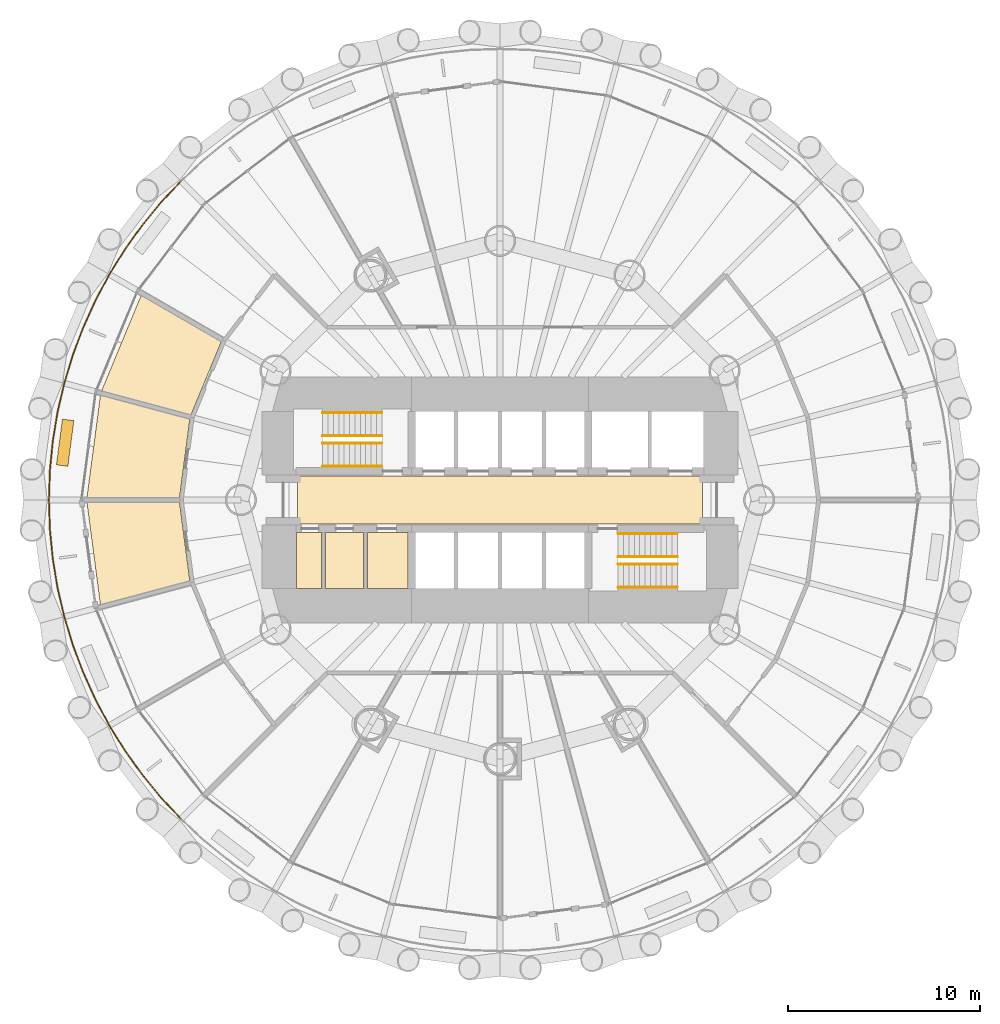
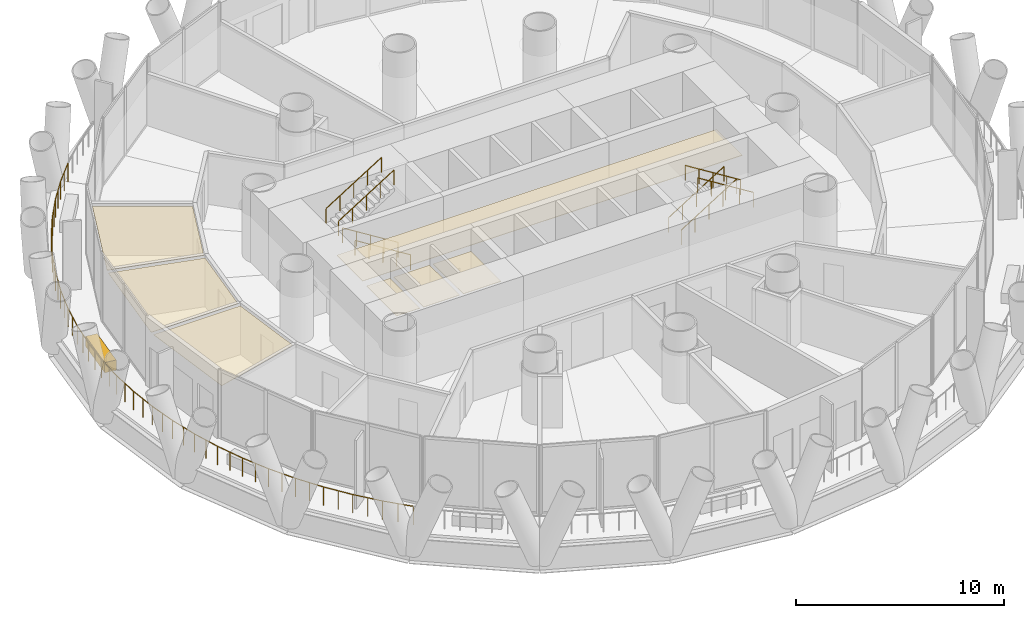
# One storey, part 14 of 16: 9 railings, 8 coverings.
"""IFC4 building model written with IfcOpenShell, lengths in metres."""

from ifc_helpers import new_model, si_unit, direction, frame, origin, origin_2d, place, context, subcontext, project, spatial, polyline, rectangle, circle, outline, extrude, material, layer, layer_set, type_object, element, save


model = new_model("IFC4")

# Units and contexts
model_context = context("Model", 3, precision=1e-05, world=origin(), true_north=direction((0.0, 1.0)))
body_context = subcontext(model_context, "Body", "Model", "MODEL_VIEW")
ifc_project = project(units=[si_unit("LENGTHUNIT", "METRE"), si_unit("AREAUNIT", "SQUARE_METRE"), si_unit("VOLUMEUNIT", "CUBIC_METRE"), si_unit("PLANEANGLEUNIT", "RADIAN"), si_unit("MASSUNIT", "GRAM", prefix="KILO")], contexts=[model_context])

# Site, building, storey
site_placement = place(None, origin())
site = spatial("IfcSite", under=ifc_project, at=site_placement, CompositionType="ELEMENT")
building_placement = place(site_placement, origin())
building = spatial("IfcBuilding", under=site, at=building_placement, Name="Qaws Media Tower", CompositionType="ELEMENT")
storey_placement = place(building_placement, frame((0.0, 0.0, 42.800048828125)))
storey = spatial("IfcBuildingStorey", under=building, at=storey_placement, Name="L08", CompositionType="ELEMENT", Elevation=42.800048828125)

# Railing
ifc_material_1 = material(Name="Stainless steel and glass guard", Category="steel")
railing_type_1 = type_object("IfcRailingType", Name="Balcony guard 1100", PredefinedType="GUARDRAIL", material=ifc_material_1)
railing_placement = place(storey_placement, frame((43.383056640625, 66.616943359375, 0.0)))
element("IfcRailing", 1, at=railing_placement, inside=storey, type_object=railing_type_1, Name="GR1 balcony guard L08-2", PredefinedType="GUARDRAIL", context=body_context, shape_type="SweptSolid", body=[
    extrude(circle(Radius=0.02392578125, at=origin_2d()), frame((0.0, 0.0, 1.076171875), z_axis=(-0.683629483557, -0.729829246613, 0.0), x_axis=(0.729829246613, -0.683629483557, 0.0)), (0.0, 0.0, 1.0), 1.537841796875),
    extrude(circle(Radius=0.02392578125, at=origin_2d()), frame((-1.05126953125, -1.122314453125, 1.076171875), z_axis=(-0.634404190621, -0.773001502536, 0.0), x_axis=(0.773001502536, -0.634404190621, 0.0)), (0.0, 0.0, 1.0), 1.537841796875),
    extrude(circle(Radius=0.02392578125, at=origin_2d()), frame((-2.02685546875, -2.31103515625, 1.076171875), z_axis=(-0.582483978532, -0.812842183178, 0.0), x_axis=(0.812842183178, -0.582483978532, 0.0)), (0.0, 0.0, 1.0), 1.537841796875),
    extrude(circle(Radius=0.02392578125, at=origin_2d()), frame((-2.922607421875, -3.56103515625, 1.076171875), z_axis=(-0.528042439698, -0.849217982545, 0.0), x_axis=(0.849217982545, -0.528042439698, 0.0)), (0.0, 0.0, 1.0), 1.537841796875),
    extrude(circle(Radius=0.02392578125, at=origin_2d()), frame((-3.734619140625, -4.866943359375, 1.076171875), z_axis=(-0.471370883899, -0.881935082539, 0.0), x_axis=(0.881935082539, -0.471370883899, 0.0)), (0.0, 0.0, 1.0), 1.537841796875),
    extrude(circle(Radius=0.02392578125, at=origin_2d()), frame((-4.45947265625, -6.22314453125, 1.076171875), z_axis=(-0.412785945288, -0.91082806466, 0.0), x_axis=(0.91082806466, -0.412785945288, 0.0)), (0.0, 0.0, 1.0), 1.537841796875),
    extrude(circle(Radius=0.02392578125, at=origin_2d()), frame((-5.09423828125, -7.623779296875, 1.076171875), z_axis=(-0.352236524079, -0.93591101666, 0.0), x_axis=(0.93591101666, -0.352236524079, 0.0)), (0.0, 0.0, 1.0), 1.5380859375),
    extrude(circle(Radius=0.02392578125, at=origin_2d()), frame((-5.635986328125, -9.063232421875, 1.076171875), z_axis=(-0.290245352327, -0.956952263936, 0.0), x_axis=(0.956952263936, -0.290245352327, 0.0)), (0.0, 0.0, 1.0), 1.53759765625),
    extrude(circle(Radius=0.02392578125, at=origin_2d()), frame((-6.082275390625, -10.53466796875, 1.076171875), z_axis=(-0.227038888344, -0.973885693077, 0.0), x_axis=(0.973885693077, -0.227038888344, 0.0)), (0.0, 0.0, 1.0), 1.53759765625),
    extrude(circle(Radius=0.02392578125, at=origin_2d()), frame((-6.431396484375, -12.0322265625, 1.076171875), z_axis=(-0.163034453184, -0.986620376373, 0.0), x_axis=(0.986620376373, -0.163034453184, 0.0)), (0.0, 0.0, 1.0), 1.537841796875),
    extrude(circle(Radius=0.02392578125, at=origin_2d()), frame((-6.68212890625, -13.549560546875, 1.076171875), z_axis=(-0.097947552028, -0.995191578065, 0.0), x_axis=(0.995191578065, -0.097947552028, 0.0)), (0.0, 0.0, 1.0), 1.537841796875),
    extrude(circle(Radius=0.02392578125, at=origin_2d()), frame((-6.832763671875, -15.080078125, 1.076171875), z_axis=(-0.032706876461, -0.999464986997, 0.0), x_axis=(0.999464986997, -0.032706876461, 0.0)), (0.0, 0.0, 1.0), 1.53759765625),
    extrude(circle(Radius=0.02392578125, at=origin_2d()), frame((-6.883056640625, -16.616943359375, 1.076171875), z_axis=(0.032706876461, -0.999464986997, 0.0), x_axis=(0.999464986997, 0.032706876461, 0.0)), (0.0, 0.0, 1.0), 1.53759765625),
    extrude(circle(Radius=0.02392578125, at=origin_2d()), frame((-6.832763671875, -18.15380859375, 1.076171875), z_axis=(0.097947552028, -0.995191578065, 0.0), x_axis=(0.995191578065, 0.097947552028, 0.0)), (0.0, 0.0, 1.0), 1.537841796875),
    extrude(circle(Radius=0.02392578125, at=origin_2d()), frame((-6.68212890625, -19.684326171875, 1.076171875), z_axis=(0.163034453184, -0.986620376373, 0.0), x_axis=(0.986620376373, 0.163034453184, 0.0)), (0.0, 0.0, 1.0), 1.537841796875),
    extrude(circle(Radius=0.02392578125, at=origin_2d()), frame((-6.431396484375, -21.20166015625, 1.076171875), z_axis=(0.227038888344, -0.973885693077, 0.0), x_axis=(0.973885693077, 0.227038888344, 0.0)), (0.0, 0.0, 1.0), 1.53759765625),
    extrude(circle(Radius=0.02392578125, at=origin_2d()), frame((-6.082275390625, -22.69921875, 1.076171875), z_axis=(0.290245352327, -0.956952263936, 0.0), x_axis=(0.956952263936, 0.290245352327, 0.0)), (0.0, 0.0, 1.0), 1.53759765625),
    extrude(circle(Radius=0.02392578125, at=origin_2d()), frame((-5.635986328125, -24.170654296875, 1.076171875), z_axis=(0.352236524079, -0.93591101666, 0.0), x_axis=(0.93591101666, 0.352236524079, 0.0)), (0.0, 0.0, 1.0), 1.5380859375),
    extrude(circle(Radius=0.02392578125, at=origin_2d()), frame((-5.09423828125, -25.610107421875, 1.076171875), z_axis=(0.412785945288, -0.91082806466, 0.0), x_axis=(0.91082806466, 0.412785945288, 0.0)), (0.0, 0.0, 1.0), 1.537841796875),
    extrude(circle(Radius=0.02392578125, at=origin_2d()), frame((-4.45947265625, -27.0107421875, 1.076171875), z_axis=(0.471370883899, -0.881935082539, 0.0), x_axis=(0.881935082539, 0.471370883899, 0.0)), (0.0, 0.0, 1.0), 1.537841796875),
    extrude(circle(Radius=0.02392578125, at=origin_2d()), frame((-3.734619140625, -28.366943359375, 1.076171875), z_axis=(0.528042439698, -0.849217982545, 0.0), x_axis=(0.849217982545, 0.528042439698, 0.0)), (0.0, 0.0, 1.0), 1.537841796875),
    extrude(circle(Radius=0.02392578125, at=origin_2d()), frame((-2.922607421875, -29.6728515625, 1.076171875), z_axis=(0.582483978532, -0.812842183178, 0.0), x_axis=(0.812842183178, 0.582483978532, 0.0)), (0.0, 0.0, 1.0), 1.537841796875),
    extrude(circle(Radius=0.02392578125, at=origin_2d()), frame((-2.02685546875, -30.9228515625, 1.076171875), z_axis=(0.634404190621, -0.773001502536, 0.0), x_axis=(0.773001502536, 0.634404190621, 0.0)), (0.0, 0.0, 1.0), 1.537841796875),
    extrude(circle(Radius=0.02392578125, at=origin_2d()), frame((-1.05126953125, -32.111572265625, 1.076171875), z_axis=(0.683629483557, -0.729829246613, 0.0), x_axis=(0.729829246613, 0.683629483557, 0.0)), (0.0, 0.0, 1.0), 1.537841796875),
    extrude(circle(Radius=0.02099609375, at=origin_2d()), origin(), (0.0, 0.0, 1.0), 1.052001953125),
    extrude(circle(Radius=0.02099609375, at=origin_2d()), frame((-0.525634765625, -0.56103515625, 0.0)), (0.0, 0.0, 1.0), 1.052001953125),
    extrude(circle(Radius=0.02099609375, at=origin_2d()), frame((-1.05126953125, -1.122314453125, 0.0)), (0.0, 0.0, 1.0), 1.052001953125),
    extrude(circle(Radius=0.02099609375, at=origin_2d()), frame((-1.5390625, -1.716796875, 0.0)), (0.0, 0.0, 1.0), 1.052001953125),
    extrude(circle(Radius=0.02099609375, at=origin_2d()), frame((-2.02685546875, -2.31103515625, 0.0)), (0.0, 0.0, 1.0), 1.052001953125),
    extrude(circle(Radius=0.02099609375, at=origin_2d()), frame((-2.474609375, -2.93603515625, 0.0)), (0.0, 0.0, 1.0), 1.052001953125),
    extrude(circle(Radius=0.02099609375, at=origin_2d()), frame((-2.922607421875, -3.56103515625, 0.0)), (0.0, 0.0, 1.0), 1.052001953125),
    extrude(circle(Radius=0.02099609375, at=origin_2d()), frame((-3.32861328125, -4.2138671875, 0.0)), (0.0, 0.0, 1.0), 1.052001953125),
    extrude(circle(Radius=0.02099609375, at=origin_2d()), frame((-3.734619140625, -4.866943359375, 0.0)), (0.0, 0.0, 1.0), 1.052001953125),
    extrude(circle(Radius=0.02099609375, at=origin_2d()), frame((-4.09716796875, -5.544921875, 0.0)), (0.0, 0.0, 1.0), 1.052001953125),
    extrude(circle(Radius=0.02099609375, at=origin_2d()), frame((-4.45947265625, -6.22314453125, 0.0)), (0.0, 0.0, 1.0), 1.052001953125),
    extrude(circle(Radius=0.02099609375, at=origin_2d()), frame((-4.77685546875, -6.92333984375, 0.0)), (0.0, 0.0, 1.0), 1.052001953125),
    extrude(circle(Radius=0.02099609375, at=origin_2d()), frame((-5.09423828125, -7.623779296875, 0.0)), (0.0, 0.0, 1.0), 1.052001953125),
    extrude(circle(Radius=0.02099609375, at=origin_2d()), frame((-5.365234375, -8.343505859375, 0.0)), (0.0, 0.0, 1.0), 1.052001953125),
    extrude(circle(Radius=0.02099609375, at=origin_2d()), frame((-5.635986328125, -9.063232421875, 0.0)), (0.0, 0.0, 1.0), 1.052001953125),
    extrude(circle(Radius=0.02099609375, at=origin_2d()), frame((-5.859130859375, -9.798828125, 0.0)), (0.0, 0.0, 1.0), 1.052001953125),
    extrude(circle(Radius=0.02099609375, at=origin_2d()), frame((-6.082275390625, -10.53466796875, 0.0)), (0.0, 0.0, 1.0), 1.052001953125),
    extrude(circle(Radius=0.02099609375, at=origin_2d()), frame((-6.2568359375, -11.283447265625, 0.0)), (0.0, 0.0, 1.0), 1.052001953125),
    extrude(circle(Radius=0.02099609375, at=origin_2d()), frame((-6.431396484375, -12.0322265625, 0.0)), (0.0, 0.0, 1.0), 1.052001953125),
    extrude(circle(Radius=0.02099609375, at=origin_2d()), frame((-6.556640625, -12.791015625, 0.0)), (0.0, 0.0, 1.0), 1.052001953125),
    extrude(circle(Radius=0.02099609375, at=origin_2d()), frame((-6.68212890625, -13.549560546875, 0.0)), (0.0, 0.0, 1.0), 1.052001953125),
    extrude(circle(Radius=0.02099609375, at=origin_2d()), frame((-6.75732421875, -14.31494140625, 0.0)), (0.0, 0.0, 1.0), 1.052001953125),
    extrude(circle(Radius=0.02099609375, at=origin_2d()), frame((-6.832763671875, -15.080078125, 0.0)), (0.0, 0.0, 1.0), 1.052001953125),
    extrude(circle(Radius=0.02099609375, at=origin_2d()), frame((-6.85791015625, -15.8486328125, 0.0)), (0.0, 0.0, 1.0), 1.052001953125),
    extrude(circle(Radius=0.02099609375, at=origin_2d()), frame((-6.883056640625, -16.616943359375, 0.0)), (0.0, 0.0, 1.0), 1.052001953125),
    extrude(circle(Radius=0.02099609375, at=origin_2d()), frame((-6.85791015625, -17.38525390625, 0.0)), (0.0, 0.0, 1.0), 1.052001953125),
    extrude(circle(Radius=0.02099609375, at=origin_2d()), frame((-6.832763671875, -18.15380859375, 0.0)), (0.0, 0.0, 1.0), 1.052001953125),
    extrude(circle(Radius=0.02099609375, at=origin_2d()), frame((-6.75732421875, -18.9189453125, 0.0)), (0.0, 0.0, 1.0), 1.052001953125),
    extrude(circle(Radius=0.02099609375, at=origin_2d()), frame((-6.68212890625, -19.684326171875, 0.0)), (0.0, 0.0, 1.0), 1.052001953125),
    extrude(circle(Radius=0.02099609375, at=origin_2d()), frame((-6.556640625, -20.44287109375, 0.0)), (0.0, 0.0, 1.0), 1.052001953125),
    extrude(circle(Radius=0.02099609375, at=origin_2d()), frame((-6.431396484375, -21.20166015625, 0.0)), (0.0, 0.0, 1.0), 1.052001953125),
    extrude(circle(Radius=0.02099609375, at=origin_2d()), frame((-6.2568359375, -21.950439453125, 0.0)), (0.0, 0.0, 1.0), 1.052001953125),
    extrude(circle(Radius=0.02099609375, at=origin_2d()), frame((-6.082275390625, -22.69921875, 0.0)), (0.0, 0.0, 1.0), 1.052001953125),
    extrude(circle(Radius=0.02099609375, at=origin_2d()), frame((-5.859130859375, -23.43505859375, 0.0)), (0.0, 0.0, 1.0), 1.052001953125),
    extrude(circle(Radius=0.02099609375, at=origin_2d()), frame((-5.635986328125, -24.170654296875, 0.0)), (0.0, 0.0, 1.0), 1.052001953125),
    extrude(circle(Radius=0.02099609375, at=origin_2d()), frame((-5.365234375, -24.890380859375, 0.0)), (0.0, 0.0, 1.0), 1.052001953125),
    extrude(circle(Radius=0.02099609375, at=origin_2d()), frame((-5.09423828125, -25.610107421875, 0.0)), (0.0, 0.0, 1.0), 1.052001953125),
    extrude(circle(Radius=0.02099609375, at=origin_2d()), frame((-4.77685546875, -26.310546875, 0.0)), (0.0, 0.0, 1.0), 1.052001953125),
    extrude(circle(Radius=0.02099609375, at=origin_2d()), frame((-4.45947265625, -27.0107421875, 0.0)), (0.0, 0.0, 1.0), 1.052001953125),
    extrude(circle(Radius=0.02099609375, at=origin_2d()), frame((-4.09716796875, -27.68896484375, 0.0)), (0.0, 0.0, 1.0), 1.052001953125),
    extrude(circle(Radius=0.02099609375, at=origin_2d()), frame((-3.734619140625, -28.366943359375, 0.0)), (0.0, 0.0, 1.0), 1.052001953125),
    extrude(circle(Radius=0.02099609375, at=origin_2d()), frame((-3.32861328125, -29.02001953125, 0.0)), (0.0, 0.0, 1.0), 1.052001953125),
    extrude(circle(Radius=0.02099609375, at=origin_2d()), frame((-2.922607421875, -29.6728515625, 0.0)), (0.0, 0.0, 1.0), 1.052001953125),
    extrude(circle(Radius=0.02099609375, at=origin_2d()), frame((-2.474609375, -30.2978515625, 0.0)), (0.0, 0.0, 1.0), 1.052001953125),
    extrude(circle(Radius=0.02099609375, at=origin_2d()), frame((-2.02685546875, -30.9228515625, 0.0)), (0.0, 0.0, 1.0), 1.052001953125),
    extrude(circle(Radius=0.02099609375, at=origin_2d()), frame((-1.5390625, -31.51708984375, 0.0)), (0.0, 0.0, 1.0), 1.052001953125),
    extrude(circle(Radius=0.02099609375, at=origin_2d()), frame((-1.05126953125, -32.111572265625, 0.0)), (0.0, 0.0, 1.0), 1.052001953125),
    extrude(circle(Radius=0.02099609375, at=origin_2d()), frame((-0.525634765625, -32.6728515625, 0.0)), (0.0, 0.0, 1.0), 1.052001953125),
    extrude(circle(Radius=0.02099609375, at=origin_2d()), frame((0.0, -33.23388671875, 0.0)), (0.0, 0.0, 1.0), 1.052001953125),
])

# Coverings
ifc_material_2 = material(Name="600 x 600 mineral fibre tiles in exposed grid, suspended", Category="mineral fibre")
ifc_layer_1 = layer(ifc_material_2, 0.02001953125)
ifc_layer_set_1 = layer_set([ifc_layer_1], Name="Mineral fibre tile ceiling 20")
covering_type_1 = type_object("IfcCoveringType", Name="Mineral fibre tile ceiling 20", PredefinedType="CEILING", material=ifc_layer_set_1)
covering_1_placement = place(storey_placement, frame((0.0, 0.0, 2.849853515625)))
element("IfcCovering", 2, at=covering_1_placement, inside=storey, type_object=covering_type_1, Name="CL1 ceiling L08-05 Edit room", PredefinedType="CEILING", context=body_context, shape_type="SweptSolid", body=[
    extrude(outline(polyline([(41.306396484375, 60.662841796875), (45.482421875, 58.251953125), (43.8994140625, 54.4306640625), (39.241943359375, 55.6787109375), (41.306396484375, 60.662841796875)])), origin(), (0.0, 0.0, 1.0), 0.02001953125),
])
covering_2_placement = place(storey_placement, frame((0.0, 0.0, 2.849853515625)))
element("IfcCovering", 3, at=covering_2_placement, inside=storey, type_object=covering_type_1, Name="CL1 ceiling L08-06 Edit room", PredefinedType="CEILING", context=body_context, shape_type="SweptSolid", body=[
    extrude(outline(polyline([(39.18359375, 55.461181640625), (43.84130859375, 54.21337890625), (43.30126953125, 50.112548828125), (38.4794921875, 50.112548828125), (39.18359375, 55.461181640625)])), origin(), (0.0, 0.0, 1.0), 0.02001953125),
])
covering_3_placement = place(storey_placement, frame((0.0, 0.0, 2.849853515625)))
element("IfcCovering", 4, at=covering_3_placement, inside=storey, type_object=covering_type_1, Name="CL1 ceiling L08-07 Edit room", PredefinedType="CEILING", context=body_context, shape_type="SweptSolid", body=[
    extrude(outline(polyline([(38.4794921875, 49.887451171875), (43.30126953125, 49.887451171875), (43.84130859375, 45.78662109375), (39.18359375, 44.538818359375), (38.4794921875, 49.887451171875)])), origin(), (0.0, 0.0, 1.0), 0.02001953125),
])
covering_4_placement = place(storey_placement, frame((0.0, 0.0, 2.849853515625)))
element("IfcCovering", 5, at=covering_4_placement, inside=storey, type_object=covering_type_1, Name="CL1 ceiling L08-C04 Cleaner's room", PredefinedType="CEILING", context=body_context, shape_type="SweptSolid", body=[
    extrude(outline(polyline([(49.39990234375, 45.39990234375), (49.39990234375, 48.300048828125), (50.699951171875, 48.300048828125), (50.699951171875, 45.39990234375), (49.39990234375, 45.39990234375)])), origin(), (0.0, 0.0, 1.0), 0.02001953125),
])
covering_5_placement = place(storey_placement, frame((0.0, 0.0, 2.849853515625)))
element("IfcCovering", 6, at=covering_5_placement, inside=storey, type_object=covering_type_1, Name="CL1 ceiling L08-C05 First aid room", PredefinedType="CEILING", context=body_context, shape_type="SweptSolid", body=[
    extrude(outline(polyline([(50.89990234375, 45.39990234375), (50.89990234375, 48.300048828125), (52.89990234375, 48.300048828125), (52.89990234375, 45.39990234375), (50.89990234375, 45.39990234375)])), origin(), (0.0, 0.0, 1.0), 0.02001953125),
])
ifc_material_3 = material(Name="Precast concrete planter with trailing planting", Category="concrete")
ifc_layer_2 = layer(ifc_material_3, 0.60009765625)
ifc_layer_set_2 = layer_set([ifc_layer_2], Name="Planter 2400x600")
covering_type_2 = type_object("IfcCoveringType", Name="Planter 2400x600", PredefinedType="USERDEFINED", material=ifc_layer_set_2)
covering_6_placement = place(storey_placement, frame((37.345458984375, 52.982421875, 0.0), z_axis=(0.0, 0.0, 1.0), x_axis=(-0.13052619222, -0.991444861374, 0.0)))
element("IfcCovering", 7, at=covering_6_placement, inside=storey, type_object=covering_type_2, Name="PL1 balcony planter L08-06", ObjectType="PLANTER", PredefinedType="USERDEFINED", context=body_context, shape_type="SweptSolid", body=[
    extrude(rectangle(XDim=2.39990234375, YDim=0.60009765625, at=origin_2d()), origin(), (0.0, 0.0, 1.0), 0.60009765625),
])
ifc_material_4 = material(Name="Two layers 12.5 moisture-resistant plasterboard on suspended metal furring", Category="gypsum")
ifc_layer_3 = layer(ifc_material_4, 0.02490234375)
ifc_layer_set_3 = layer_set([ifc_layer_3], Name="Plasterboard ceiling 25")
covering_type_3 = type_object("IfcCoveringType", Name="Plasterboard ceiling 25", PredefinedType="CEILING", material=ifc_layer_set_3)
covering_7_placement = place(storey_placement, frame((0.0, 0.0, 2.849853515625)))
element("IfcCovering", 8, at=covering_7_placement, inside=storey, type_object=covering_type_3, Name="CL2 ceiling L08-C01 Lift lobby", PredefinedType="CEILING", context=body_context, shape_type="SweptSolid", body=[
    extrude(outline(polyline([(49.449951171875, 48.75), (49.449951171875, 51.25), (70.550048828125, 51.25), (70.550048828125, 48.75), (49.449951171875, 48.75)])), origin(), (0.0, 0.0, 1.0), 0.025146484375),
])
covering_8_placement = place(storey_placement, frame((0.0, 0.0, 2.849853515625)))
element("IfcCovering", 9, at=covering_8_placement, inside=storey, type_object=covering_type_3, Name="CL2 ceiling L08-C06 Accessible WC", PredefinedType="CEILING", context=body_context, shape_type="SweptSolid", body=[
    extrude(outline(polyline([(53.10009765625, 45.39990234375), (53.10009765625, 48.300048828125), (55.199951171875, 48.300048828125), (55.199951171875, 45.39990234375), (53.10009765625, 45.39990234375)])), origin(), (0.0, 0.0, 1.0), 0.025146484375),
])

# Railings
ifc_material_5 = material(Name="Steel tube handrail", Category="steel")
railing_type_2 = type_object("IfcRailingType", Name="Stair handrail 900", PredefinedType="HANDRAIL", material=ifc_material_5)
for number, where, name in (
    (10, (53.840087890625, 51.75, 0.175048828125), "HR1 handrail S1 flight 1 L08"),
    (11, (53.840087890625, 52.9599609375, 0.175048828125), "HR1 handrail S1 flight 1 L08"),
):
    element("IfcRailing", number, at=place(storey_placement, frame(where)), inside=storey, type_object=railing_type_2, Name=name, PredefinedType="HANDRAIL", context=body_context, shape_type="SweptSolid", body=[
        extrude(circle(Radius=0.02392578125, at=origin_2d()), frame((0.0, 0.0, 0.8759765625), z_axis=(-0.848028513186, 0.0, 0.529950602248), x_axis=(0.0, -1.0, 0.0)), (0.0, 0.0, 1.0), 3.632080078125),
        extrude(circle(Radius=0.02099609375, at=origin_2d()), origin(), (0.0, 0.0, 1.0), 0.851806640625),
        extrude(circle(Radius=0.02099609375, at=origin_2d()), frame((-0.77001953125, 0.0, 0.481201171875)), (0.0, 0.0, 1.0), 0.851806640625),
        extrude(circle(Radius=0.02099609375, at=origin_2d()), frame((-1.5400390625, 0.0, 0.96240234375)), (0.0, 0.0, 1.0), 0.851806640625),
        extrude(circle(Radius=0.02099609375, at=origin_2d()), frame((-2.31005859375, 0.0, 1.443603515625)), (0.0, 0.0, 1.0), 0.851806640625),
        extrude(circle(Radius=0.02099609375, at=origin_2d()), frame((-3.080078125, 0.0, 1.9248046875)), (0.0, 0.0, 1.0), 0.851806640625),
    ])
for number, where, name in (
    (12, (50.760009765625, 54.550048828125, 2.27490234375), "HR1 handrail S1 flight 2 L08"),
    (13, (50.760009765625, 53.340087890625, 2.27490234375), "HR1 handrail S1 flight 2 L08"),
):
    element("IfcRailing", number, at=place(storey_placement, frame(where)), inside=storey, type_object=railing_type_2, Name=name, PredefinedType="HANDRAIL", context=body_context, shape_type="SweptSolid", body=[
        extrude(circle(Radius=0.02392578125, at=origin_2d()), frame((0.0, 0.0, 0.8759765625), z_axis=(0.847998304005, 0.0, 0.529998940003), x_axis=(0.0, 1.0, 0.0)), (0.0, 0.0, 1.0), 3.632080078125),
        extrude(circle(Radius=0.02099609375, at=origin_2d()), origin(), (0.0, 0.0, 1.0), 0.851806640625),
        extrude(circle(Radius=0.02099609375, at=origin_2d()), frame((0.77001953125, 0.0, 0.481201171875)), (0.0, 0.0, 1.0), 0.851806640625),
        extrude(circle(Radius=0.02099609375, at=origin_2d()), frame((1.5400390625, 0.0, 0.96240234375)), (0.0, 0.0, 1.0), 0.851806640625),
        extrude(circle(Radius=0.02099609375, at=origin_2d()), frame((2.31005859375, 0.0, 1.44384765625)), (0.0, 0.0, 1.0), 0.851806640625),
        extrude(circle(Radius=0.02099609375, at=origin_2d()), frame((3.080078125, 0.0, 1.925048828125)), (0.0, 0.0, 1.0), 0.851806640625),
    ])
for number, where, name in (
    (14, (66.159912109375, 48.25, 0.175048828125), "HR1 handrail S2 flight 1 L08"),
    (15, (66.159912109375, 47.0400390625, 0.175048828125), "HR1 handrail S2 flight 1 L08"),
):
    element("IfcRailing", number, at=place(storey_placement, frame(where)), inside=storey, type_object=railing_type_2, Name=name, PredefinedType="HANDRAIL", context=body_context, shape_type="SweptSolid", body=[
        extrude(circle(Radius=0.02392578125, at=origin_2d()), frame((0.0, 0.0, 0.8759765625), z_axis=(0.848028513186, 0.0, 0.529950602248), x_axis=(0.0, 1.0, 0.0)), (0.0, 0.0, 1.0), 3.632080078125),
        extrude(circle(Radius=0.02099609375, at=origin_2d()), origin(), (0.0, 0.0, 1.0), 0.851806640625),
        extrude(circle(Radius=0.02099609375, at=origin_2d()), frame((0.77001953125, 0.0, 0.481201171875)), (0.0, 0.0, 1.0), 0.851806640625),
        extrude(circle(Radius=0.02099609375, at=origin_2d()), frame((1.5400390625, 0.0, 0.96240234375)), (0.0, 0.0, 1.0), 0.851806640625),
        extrude(circle(Radius=0.02099609375, at=origin_2d()), frame((2.31005859375, 0.0, 1.443603515625)), (0.0, 0.0, 1.0), 0.851806640625),
        extrude(circle(Radius=0.02099609375, at=origin_2d()), frame((3.080078125, 0.0, 1.9248046875)), (0.0, 0.0, 1.0), 0.851806640625),
    ])
for number, where, name in (
    (16, (69.239990234375, 45.449951171875, 2.27490234375), "HR1 handrail S2 flight 2 L08"),
    (17, (69.239990234375, 46.659912109375, 2.27490234375), "HR1 handrail S2 flight 2 L08"),
):
    element("IfcRailing", number, at=place(storey_placement, frame(where)), inside=storey, type_object=railing_type_2, Name=name, PredefinedType="HANDRAIL", context=body_context, shape_type="SweptSolid", body=[
        extrude(circle(Radius=0.02392578125, at=origin_2d()), frame((0.0, 0.0, 0.8759765625), z_axis=(-0.847998304005, 0.0, 0.529998940003), x_axis=(0.0, -1.0, 0.0)), (0.0, 0.0, 1.0), 3.632080078125),
        extrude(circle(Radius=0.02099609375, at=origin_2d()), origin(), (0.0, 0.0, 1.0), 0.851806640625),
        extrude(circle(Radius=0.02099609375, at=origin_2d()), frame((-0.77001953125, 0.0, 0.481201171875)), (0.0, 0.0, 1.0), 0.851806640625),
        extrude(circle(Radius=0.02099609375, at=origin_2d()), frame((-1.5400390625, 0.0, 0.96240234375)), (0.0, 0.0, 1.0), 0.851806640625),
        extrude(circle(Radius=0.02099609375, at=origin_2d()), frame((-2.31005859375, 0.0, 1.44384765625)), (0.0, 0.0, 1.0), 0.851806640625),
        extrude(circle(Radius=0.02099609375, at=origin_2d()), frame((-3.080078125, 0.0, 1.925048828125)), (0.0, 0.0, 1.0), 0.851806640625),
    ])

save(model, "model.ifc")
